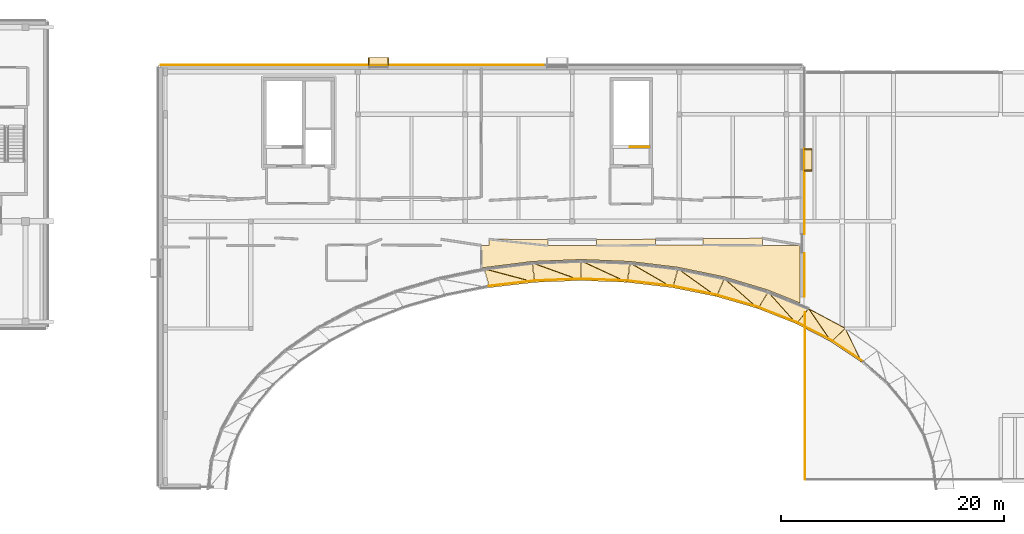
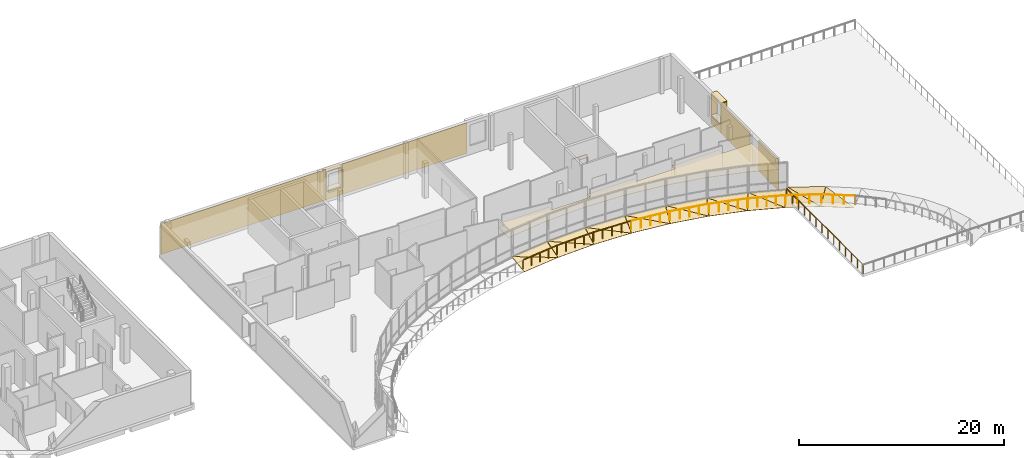
# One storey, part 17 of 18: 32 coverings, 11 railings.
"""IFC4 building model written with IfcOpenShell, lengths in metres."""

from ifc_helpers import new_model, si_unit, direction, frame, origin, origin_2d, place, context, subcontext, project, spatial, polyline, rectangle, circle, outline, extrude, material, layer, layer_set, type_object, element, save


model = new_model("IFC4")

# Units and contexts
model_context = context("Model", 3, precision=1e-05, world=origin(), true_north=direction((0.0, 1.0)))
body_context = subcontext(model_context, "Body", "Model", "MODEL_VIEW")
ifc_project = project(units=[si_unit("LENGTHUNIT", "METRE"), si_unit("AREAUNIT", "SQUARE_METRE"), si_unit("VOLUMEUNIT", "CUBIC_METRE"), si_unit("PLANEANGLEUNIT", "RADIAN"), si_unit("MASSUNIT", "GRAM", prefix="KILO")], contexts=[model_context])

# Site, building, storey
site_placement = place(None, origin())
site = spatial("IfcSite", under=ifc_project, at=site_placement, CompositionType="ELEMENT")
building_placement = place(site_placement, origin())
building = spatial("IfcBuilding", under=site, at=building_placement, Name="Mzevani Central Library", CompositionType="ELEMENT")
storey_placement = place(building_placement, frame((0.0, 0.0, 18.300048828125)))
storey = spatial("IfcBuildingStorey", under=building, at=storey_placement, Name="L04", CompositionType="ELEMENT", Elevation=18.300048828125)

# Railing
ifc_material_1 = material(Name="Brushed stainless steel rail", Category="steel")
railing_type_1 = type_object("IfcRailingType", Name="Interior Gallery and Stair Guard 1100", PredefinedType="BALUSTRADE", material=ifc_material_1)
railing_1_placement = place(storey_placement, frame((90.10009765625, 106.64990234375, 0.0)))
element("IfcRailing", 1, at=railing_1_placement, inside=storey, type_object=railing_type_1, Name="L04 ST-06 top well guard 1", PredefinedType="BALUSTRADE", context=body_context, shape_type="SweptSolid", body=[
    extrude(circle(Radius=0.02392578125, at=origin_2d()), frame((0.0, 0.0, 1.076171875), z_axis=(-1.0, 0.0, 0.0), x_axis=(0.0, -1.0, 0.0)), (0.0, 0.0, 1.0), 1.7001953125),
    extrude(circle(Radius=0.02099609375, at=origin_2d()), origin(), (0.0, 0.0, 1.0), 1.052001953125),
    extrude(circle(Radius=0.02099609375, at=origin_2d()), frame((-0.85009765625, 0.0, 0.0)), (0.0, 0.0, 1.0), 1.052001953125),
    extrude(circle(Radius=0.02099609375, at=origin_2d()), frame((-1.7001953125, 0.0, 0.0)), (0.0, 0.0, 1.0), 1.052001953125),
])

# Coverings
ifc_material_2 = material(Name="Limestone ashlar cladding", Category="masonry")
ifc_layer_1 = layer(ifc_material_2, 0.050048828125, Name="Limestone Ashlar Spandrel Cladding")
ifc_layer_set_1 = layer_set([ifc_layer_1], Name="Limestone ashlar cladding")
covering_type_1 = type_object("IfcCoveringType", Name="Limestone Ashlar Spandrel Cladding", PredefinedType="CLADDING", material=ifc_layer_set_1)
covering_1_placement = place(storey_placement, frame((109.14111328125, 87.3671875, -0.280029296875), z_axis=(-0.327729693429, -0.487988070928, 0.808987571399), x_axis=(-0.830157700772, 0.557528646662, 0.0)))
element("IfcCovering", 2, at=covering_1_placement, inside=storey, type_object=covering_type_1, Name="L04 Curved Court Spandrel Apron 6A", PredefinedType="CLADDING", context=body_context, shape_type="SweptSolid", body=[
    extrude(outline(polyline([(0.0, 0.0), (3.282920575621117, 0.0), (2.907255110845683, -2.092423603698406), (0.0, 0.0)])), origin(), (0.0, 0.0, -1.0), 0.06005859375),
])
covering_2_placement = place(storey_placement, frame((106.410888671875, 89.20556640625, -0.280029296875), z_axis=(-0.26927253569, -0.521303438296, 0.809774676527), x_axis=(-0.888472868545, 0.458929146884, 0.0)))
element("IfcCovering", 3, at=covering_2_placement, inside=storey, type_object=covering_type_1, Name="L04 Curved Court Spandrel Apron 7A", PredefinedType="CLADDING", context=body_context, shape_type="SweptSolid", body=[
    extrude(outline(polyline([(0.0, 0.0), (3.497761299919376, 0.0), (3.147397562304514, -2.096292092178748), (0.0, 0.0)])), origin(), (0.0, 0.0, -1.0), 0.06005859375),
])
covering_3_placement = place(storey_placement, frame((106.410888671875, 89.20556640625, -0.280029296875), z_axis=(-0.281018656621, -0.526304931193, 0.802515815441), x_axis=(-0.533459440059, 0.780788874267, 0.325253377589)))
element("IfcCovering", 4, at=covering_3_placement, inside=storey, type_object=covering_type_1, Name="L04 Curved Court Spandrel Apron 7B", PredefinedType="CLADDING", context=body_context, shape_type="SweptSolid", body=[
    extrude(outline(polyline([(0.0, 0.0), (3.7816070592978788, 2.220446049250313e-16), (0.6785553252923355, -2.0178354469426516), (0.0, 0.0)])), origin(), (0.0, 0.0, -1.0), 0.06005859375),
])
covering_4_placement = place(storey_placement, frame((103.296875, 90.819091796875, -0.280029296875), z_axis=(-0.179513022548, -0.456138053864, 0.87161525374), x_axis=(-0.930531980871, 0.366210639627, 0.0)))
element("IfcCovering", 5, at=covering_4_placement, inside=storey, type_object=covering_type_1, Name="L04 Curved Court Spandrel Apron 8A", PredefinedType="CLADDING", context=body_context, shape_type="SweptSolid", body=[
    extrude(outline(polyline([(0.0, 0.0), (3.693336337465024, 0.0), (3.392763559591872, -1.9583420965740634), (0.0, 0.0)])), origin(), (0.0, 0.0, -1.0), 0.06005859375),
])
covering_5_placement = place(storey_placement, frame((103.296875, 90.819091796875, -0.280029296875), z_axis=(-0.187953474318, -0.462027561681, 0.866720268448), x_axis=(-0.646344146985, 0.722626591871, 0.24505112197)))
element("IfcCovering", 6, at=covering_5_placement, inside=storey, type_object=covering_type_1, Name="L04 Curved Court Spandrel Apron 8B", PredefinedType="CLADDING", context=body_context, shape_type="SweptSolid", body=[
    extrude(outline(polyline([(0.0, 0.0), (3.9173905011510666, 5.551115123125783e-17), (0.5218532742592943, -1.915254100163302), (0.0, 0.0)])), origin(), (0.0, 0.0, -1.0), 0.06005859375),
])
covering_6_placement = place(storey_placement, frame((99.851318359375, 92.18017578125, -0.280029296875), z_axis=(-0.136030290033, -0.468363701555, 0.873001261888), x_axis=(-0.960316723088, 0.278911798526, 0.0)))
element("IfcCovering", 7, at=covering_6_placement, inside=storey, type_object=covering_type_1, Name="L04 Curved Court Spandrel Apron 9A", PredefinedType="CLADDING", context=body_context, shape_type="SweptSolid", body=[
    extrude(outline(polyline([(0.0, 0.0), (3.8602173229667835, 1.1102230246251565e-16), (3.6283673817434647, -1.9682706809499542), (0.0, 0.0)])), origin(), (0.0, 0.0, -1.0), 0.06005859375),
])
covering_7_placement = place(storey_placement, frame((99.851318359375, 92.18017578125, -0.280029296875), z_axis=(-0.142270341343, -0.473957198952, 0.868978551827), x_axis=(-0.728012768871, 0.644914390427, 0.232557170136)))
element("IfcCovering", 8, at=covering_7_placement, inside=storey, type_object=covering_type_1, Name="L04 Curved Court Spandrel Apron 9B", PredefinedType="CLADDING", context=body_context, shape_type="SweptSolid", body=[
    extrude(outline(polyline([(0.0, 0.0), (4.127849237846159, 2.220446049250313e-16), (0.5381981806398155, -1.9111740929635601), (0.0, 0.0)])), origin(), (0.0, 0.0, -1.0), 0.06005859375),
])
covering_8_placement = place(storey_placement, frame((96.1328125, 93.264892578125, -0.280029296875), z_axis=(-0.09513852831, -0.475930116818, 0.874322128473), x_axis=(-0.980599490045, 0.196022039892, 0.0)))
element("IfcCovering", 9, at=covering_8_placement, inside=storey, type_object=covering_type_1, Name="L04 Curved Court Spandrel Apron 10A", PredefinedType="CLADDING", context=body_context, shape_type="SweptSolid", body=[
    extrude(outline(polyline([(0.0, 0.0), (3.991748599059052, 1.1102230246251565e-16), (3.8437294773759314, -1.977889552503587), (0.0, 0.0)])), origin(), (0.0, 0.0, -1.0), 0.06005859375),
])
covering_9_placement = place(storey_placement, frame((96.1328125, 93.264892578125, -0.280029296875), z_axis=(-0.099321918084, -0.480602811897, 0.871295640862), x_axis=(-0.79351415551, 0.566586050397, 0.222071007791)))
element("IfcCovering", 10, at=covering_9_placement, inside=storey, type_object=covering_type_1, Name="L04 Curved Court Spandrel Apron 10B", PredefinedType="CLADDING", context=body_context, shape_type="SweptSolid", body=[
    extrude(outline(polyline([(0.0, 0.0), (4.322765709259696, 4.440892098500626e-16), (0.578078581125306, -1.9001629280772876), (0.0, 0.0)])), origin(), (0.0, 0.0, -1.0), 0.06005859375),
])
covering_10_placement = place(storey_placement, frame((92.204345703125, 94.053955078125, -0.280029296875), z_axis=(-0.056273706925, -0.480453047401, 0.8752131964), x_axis=(-0.993210487783, 0.116331109162, 0.0)))
element("IfcCovering", 11, at=covering_10_placement, inside=storey, type_object=covering_type_1, Name="L04 Curved Court Spandrel Apron 11A", PredefinedType="CLADDING", context=body_context, shape_type="SweptSolid", body=[
    extrude(outline(polyline([(0.0, 0.0), (4.0819134197842235, 5.551115123125783e-17), (4.029946047421078, -1.9844671110832768), (0.0, 0.0)])), origin(), (0.0, 0.0, -1.0), 0.06005859375),
])
covering_11_placement = place(storey_placement, frame((92.204345703125, 94.053955078125, -0.280029296875), z_axis=(-0.058573060816, -0.483608906295, 0.873322175545), x_axis=(-0.846057212835, 0.488383767877, 0.213701866825)))
element("IfcCovering", 12, at=covering_11_placement, inside=storey, type_object=covering_type_1, Name="L04 Curved Court Spandrel Apron 11B", PredefinedType="CLADDING", context=body_context, shape_type="SweptSolid", body=[
    extrude(outline(polyline([(0.0, 0.0), (4.492056862963333, -1.6653345369377348e-16), (0.6365224301893274, -1.8821314244561298), (0.0, 0.0)])), origin(), (0.0, 0.0, -1.0), 0.06005859375),
])
covering_12_placement = place(storey_placement, frame((88.133544921875, 94.53271484375, -0.280029296875), z_axis=(-0.018641909751, -0.48305991601, 0.875388826034), x_axis=(-0.999256186525, 0.038562594473, 0.0)))
element("IfcCovering", 13, at=covering_12_placement, inside=storey, type_object=covering_type_1, Name="L04 Curved Court Spandrel Apron 12A", PredefinedType="CLADDING", context=body_context, shape_type="SweptSolid", body=[
    extrude(outline(polyline([(0.0, 0.0), (4.127826192121102, 0.0), (4.179273693217419, -1.9857721036790688), (0.0, 0.0)])), origin(), (0.0, 0.0, -1.0), 0.06005859375),
])
covering_13_placement = place(storey_placement, frame((88.133544921875, 94.53271484375, -0.280029296875), z_axis=(-0.01931302805, -0.48418961565, 0.874749920288), x_axis=(-0.888066521119, 0.410238084588, 0.207467028759)))
element("IfcCovering", 14, at=covering_13_placement, inside=storey, type_object=covering_type_1, Name="L04 Curved Court Spandrel Apron 12B", PredefinedType="CLADDING", context=body_context, shape_type="SweptSolid", body=[
    extrude(outline(polyline([(0.0, 0.0), (4.627052998461241, 1.1102230246251565e-16), (0.7077099042854951, -1.856829493341297), (0.0, 0.0)])), origin(), (0.0, 0.0, -1.0), 0.06005859375),
])
covering_14_placement = place(storey_placement, frame((83.9912109375, 94.69189453125, -0.280029296875), z_axis=(0.018688126739, -0.484257517265, 0.874725906151), x_axis=(-0.999256186525, -0.038562594473, 0.0)))
element("IfcCovering", 15, at=covering_14_placement, inside=storey, type_object=covering_type_1, Name="L04 Curved Court Spandrel Apron 13A", PredefinedType="CLADDING", context=body_context, shape_type="SweptSolid", body=[
    extrude(outline(polyline([(0.0, 0.0), (4.127826192121102, 0.0), (4.285490884571889, -1.9808611563459673), (0.0, 0.0)])), origin(), (0.0, 0.0, -1.0), 0.06005859375),
])
covering_15_placement = place(storey_placement, frame((83.9912109375, 94.69189453125, -0.280029296875), z_axis=(0.019267566838, -0.48304987482, 0.875380819589), x_axis=(-0.921199810835, 0.331733287667, 0.20333207905)))
element("IfcCovering", 16, at=covering_15_placement, inside=storey, type_object=covering_type_1, Name="L04 Curved Court Spandrel Apron 13B", PredefinedType="CLADDING", context=body_context, shape_type="SweptSolid", body=[
    extrude(outline(polyline([(0.0, 0.0), (4.721148487653086, -1.6653345369377348e-16), (0.7864733229429142, -1.8241155131784228), (0.0, 0.0)])), origin(), (0.0, 0.0, -1.0), 0.06005859375),
])
covering_16_placement = place(storey_placement, frame((79.849853515625, 94.52880859375, -0.280029296875), z_axis=(0.056695302798, -0.484052544092, 0.873200307604), x_axis=(-0.993210487783, -0.116331109162, 0.0)))
element("IfcCovering", 17, at=covering_16_placement, inside=storey, type_object=covering_type_1, Name="L04 Curved Court Spandrel Apron 14A", PredefinedType="CLADDING", context=body_context, shape_type="SweptSolid", body=[
    extrude(outline(polyline([(0.0, 0.0), (4.0819134197842235, -5.551115123125783e-17), (4.342337929861353, -1.9697102775815722), (0.0, 0.0)])), origin(), (0.0, 0.0, -1.0), 0.06005859375),
])
covering_17_placement = place(storey_placement, frame((79.849853515625, 94.52880859375, -0.280029296875), z_axis=(0.05815866829, -0.480187471366, 0.875235717762), x_axis=(-0.946467596583, 0.252323089855, 0.201325971856)))
element("IfcCovering", 18, at=covering_17_placement, inside=storey, type_object=covering_type_1, Name="L04 Curved Court Spandrel Apron 14B", PredefinedType="CLADDING", context=body_context, shape_type="SweptSolid", body=[
    extrude(outline(polyline([(0.0, 0.0), (4.768192243893177, 1.1102230246251565e-16), (0.8670899486953034, -1.7857674382833597), (0.0, 0.0)])), origin(), (0.0, 0.0, -1.0), 0.06005859375),
])
for number, where, z_axis, x_axis, name in (
    (19, (65.8466796875, 114.337890625, 3.25), (0.0, 0.0, 1.0), (1.0, 0.0, 0.0), "L04 Deep Window Reveal HD (REV4-0132)"),
    (20, (65.8466796875, 114.337890625, 0.9599609375), (0.0, 0.0, 1.0), (1.0, 0.0, 0.0), "L04 Deep Window Reveal SL (REV4-0132)"),
):
    element("IfcCovering", number, at=place(storey_placement, frame(where, z_axis=z_axis, x_axis=x_axis)), inside=storey, type_object=covering_type_1, Name=name, PredefinedType="CLADDING", context=body_context, shape_type="SweptSolid", body=[
        extrude(rectangle(XDim=1.830078125, YDim=0.679931640625, at=origin_2d()), origin(), (0.0, 0.0, 1.0), 0.090087890625),
    ])
for number, where, z_axis, x_axis, name in (
    (21, (64.976806640625, 114.337890625, 1.0498046875), (0.0, 0.0, 1.0), (1.0, 0.0, 0.0), "L04 Deep Window Reveal JL (REV4-0132)"),
    (22, (66.716796875, 114.337890625, 1.0498046875), (0.0, 0.0, 1.0), (1.0, 0.0, 0.0), "L04 Deep Window Reveal JR (REV4-0132)"),
):
    element("IfcCovering", number, at=place(storey_placement, frame(where, z_axis=z_axis, x_axis=x_axis)), inside=storey, type_object=covering_type_1, Name=name, PredefinedType="CLADDING", context=body_context, shape_type="SweptSolid", body=[
        extrude(rectangle(XDim=0.090087890625, YDim=0.679931640625, at=origin_2d()), origin(), (0.0, 0.0, 1.0), 2.199951171875),
    ])
covering_18_placement = place(storey_placement, frame((55.60595703125, 114.02392578125, 0.0), z_axis=(0.0, 0.0, 1.0), x_axis=(1.0, 0.0, 0.0)))
element("IfcCovering", 23, at=covering_18_placement, inside=storey, type_object=covering_type_1, Name="L04 Warm-White Facade Pier 1 (EW4-V3-L04-0069)", PredefinedType="CLADDING", context=body_context, shape_type="SweptSolid", body=[
    extrude(rectangle(XDim=18.591796875, YDim=0.050048828125, at=origin_2d()), origin(), (0.0, 0.0, 1.0), 3.64990234375),
])
covering_19_placement = place(storey_placement, frame((65.8466796875, 114.02392578125, 0.0), z_axis=(0.0, 0.0, 1.0), x_axis=(1.0, 0.0, 0.0)))
element("IfcCovering", 24, at=covering_19_placement, inside=storey, type_object=covering_type_1, Name="L04 Warm-White Sill Cladding 2 (EW4-V3-L04-0069)", PredefinedType="CLADDING", context=body_context, shape_type="SweptSolid", body=[
    extrude(rectangle(XDim=1.85009765625, YDim=0.050048828125, at=origin_2d()), origin(), (0.0, 0.0, 1.0), 0.949951171875),
])
covering_20_placement = place(storey_placement, frame((73.8125, 114.02392578125, 0.0), z_axis=(0.0, 0.0, 1.0), x_axis=(1.0, 0.0, 0.0)))
element("IfcCovering", 25, at=covering_20_placement, inside=storey, type_object=covering_type_1, Name="L04 Warm-White Facade Pier 3 (EW4-V3-L04-0069)", PredefinedType="CLADDING", context=body_context, shape_type="SweptSolid", body=[
    extrude(rectangle(XDim=14.04150390625, YDim=0.050048828125, at=origin_2d()), origin(), (0.0, 0.0, 1.0), 3.64990234375),
])
for number, where, z_axis, x_axis, name in (
    (26, (104.337890625, 105.50537109375, 3.5498046875), (0.0, 0.0, 1.0), (0.0, -1.0, 0.0), "L04 Deep Window Reveal HD (REV4-0134)"),
    (27, (104.337890625, 105.50537109375, 0.9599609375), (0.0, 0.0, 1.0), (0.0, -1.0, 0.0), "L04 Deep Window Reveal SL (REV4-0134)"),
):
    element("IfcCovering", number, at=place(storey_placement, frame(where, z_axis=z_axis, x_axis=x_axis)), inside=storey, type_object=covering_type_1, Name=name, PredefinedType="CLADDING", context=body_context, shape_type="SweptSolid", body=[
        extrude(rectangle(XDim=1.97998046875, YDim=0.679931640625, at=origin_2d()), origin(), (0.0, 0.0, 1.0), 0.090087890625),
    ])
for number, where, z_axis, x_axis, name in (
    (28, (104.337890625, 106.450439453125, 1.050048828125), (0.0, 0.0, 1.0), (0.0, -1.0, 0.0), "L04 Deep Window Reveal JL (REV4-0134)"),
    (29, (104.337890625, 104.560302734375, 1.050048828125), (0.0, 0.0, 1.0), (0.0, -1.0, 0.0), "L04 Deep Window Reveal JR (REV4-0134)"),
):
    element("IfcCovering", number, at=place(storey_placement, frame(where, z_axis=z_axis, x_axis=x_axis)), inside=storey, type_object=covering_type_1, Name=name, PredefinedType="CLADDING", context=body_context, shape_type="SweptSolid", body=[
        extrude(rectangle(XDim=0.090087890625, YDim=0.679931640625, at=origin_2d()), origin(), (0.0, 0.0, 1.0), 2.5),
    ])
covering_21_placement = place(storey_placement, frame((104.02392578125, 105.50537109375, 0.0), z_axis=(0.0, 0.0, 1.0), x_axis=(0.0, -1.0, 0.0)))
element("IfcCovering", 30, at=covering_21_placement, inside=storey, type_object=covering_type_1, Name="L04 Warm-White Sill Cladding 2 (EW4-V3-L04-0070)", PredefinedType="CLADDING", context=body_context, shape_type="SweptSolid", body=[
    extrude(rectangle(XDim=2.0, YDim=0.050048828125, at=origin_2d()), origin(), (0.0, 0.0, 1.0), 0.949951171875),
])
covering_22_placement = place(storey_placement, frame((104.02392578125, 101.665283203125, 0.0), z_axis=(0.0, 0.0, 1.0), x_axis=(0.0, -1.0, 0.0)))
element("IfcCovering", 31, at=covering_22_placement, inside=storey, type_object=covering_type_1, Name="L04 Warm-White Facade Pier 3 (EW4-V3-L04-0070)", PredefinedType="CLADDING", context=body_context, shape_type="SweptSolid", body=[
    extrude(rectangle(XDim=5.640380859375, YDim=0.050048828125, at=origin_2d()), origin(), (0.0, 0.0, 1.0), 3.64990234375),
])
covering_23_placement = place(storey_placement, frame((104.02392578125, 95.19970703125, 0.0), z_axis=(0.0, 0.0, 1.0), x_axis=(0.0, -1.0, 0.0)))
element("IfcCovering", 32, at=covering_23_placement, inside=storey, type_object=covering_type_1, Name="L04 Warm-White Facade Pier 4 (EW4-V3-L04-0070)", PredefinedType="CLADDING", context=body_context, shape_type="SweptSolid", body=[
    extrude(rectangle(XDim=3.910888671875, YDim=0.050048828125, at=origin_2d()), origin(), (0.0, 0.0, 1.0), 3.64990234375),
])
ifc_material_3 = material(Name="Mineral wool acoustic ceiling")
ifc_layer_2 = layer(ifc_material_3, 0.0400390625, Name="Perforated Timber Acoustic Ceiling")
ifc_layer_set_2 = layer_set([ifc_layer_2], Name="Mineral wool acoustic ceiling")
covering_type_2 = type_object("IfcCoveringType", Name="Perforated Timber Acoustic Ceiling", PredefinedType="CEILING", material=ifc_layer_set_2)
covering_24_placement = place(storey_placement, frame((0.0, 0.0, 2.949951171875)))
element("IfcCovering", 33, at=covering_24_placement, inside=storey, type_object=covering_type_2, Name="L04 Roof Garden Reading Conservatory Acoustic Ceiling", PredefinedType="CEILING", context=body_context, shape_type="SweptSolid", body=[
    extrude(outline(polyline([(84.01513671875, 96.58203125), (79.652099609375, 96.4091796875), (75.04833984375, 95.827880859375), (75.0400390625, 97.85107421875), (75.739990234375, 97.860107421875), (75.75, 98.4013671875), (81.02587890625, 98.392578125), (81.034912109375, 97.8349609375), (85.364990234375, 97.8349609375), (85.375, 98.38525390625), (90.676025390625, 98.402099609375), (90.68505859375, 97.885009765625), (94.9150390625, 97.885009765625), (94.923828125, 98.44580078125), (100.251953125, 98.500244140625), (100.260009765625, 97.860107421875), (103.62890625, 97.854736328125), (103.6298828125, 92.68408203125), (100.7060546875, 93.85888671875), (96.779541015625, 95.0361328125), (92.668212890625, 95.8857421875), (88.347900390625, 96.4091796875), (84.01513671875, 96.58203125)])), origin(), (0.0, 0.0, 1.0), 0.0400390625),
])

# Railings
ifc_material_4 = material(Name="Anodized architectural bronze")
railing_type_2 = type_object("IfcRailingType", Name="Terrace and Court Balustrade 1100", PredefinedType="BALUSTRADE", material=ifc_material_4)
railing_2_placement = place(storey_placement, frame((109.283203125, 87.440673828125, 0.0)))
element("IfcRailing", 34, at=railing_2_placement, inside=storey, type_object=railing_type_2, Name="L04 Elliptical Court Terrace Guard 6", PredefinedType="BALUSTRADE", context=body_context, shape_type="SweptSolid", body=[
    extrude(circle(Radius=0.02392578125, at=origin_2d()), frame((0.0, 0.0, 1.076171875), z_axis=(-0.830157700772, 0.557528646662, 0.0), x_axis=(-0.557528646662, -0.830157700772, 0.0)), (0.0, 0.0, 1.0), 3.282958984375),
    extrude(circle(Radius=0.02099609375, at=origin_2d()), origin(), (0.0, 0.0, 1.0), 1.052001953125),
    extrude(circle(Radius=0.02099609375, at=origin_2d()), frame((-0.908447265625, 0.610107421875, 0.0)), (0.0, 0.0, 1.0), 1.052001953125),
    extrude(circle(Radius=0.02099609375, at=origin_2d()), frame((-1.81689453125, 1.22021484375, 0.0)), (0.0, 0.0, 1.0), 1.052001953125),
    extrude(circle(Radius=0.02099609375, at=origin_2d()), frame((-2.725341796875, 1.830322265625, 0.0)), (0.0, 0.0, 1.0), 1.052001953125),
])
railing_3_placement = place(storey_placement, frame((106.543701171875, 89.294677734375, 0.0)))
element("IfcRailing", 35, at=railing_3_placement, inside=storey, type_object=railing_type_2, Name="L04 Elliptical Court Terrace Guard 7", PredefinedType="BALUSTRADE", context=body_context, shape_type="SweptSolid", body=[
    extrude(circle(Radius=0.02392578125, at=origin_2d()), frame((0.0, 0.0, 1.076171875), z_axis=(-0.888472868545, 0.458929146884, 0.0), x_axis=(-0.458929146884, -0.888472868545, 0.0)), (0.0, 0.0, 1.0), 3.497802734375),
    extrude(circle(Radius=0.02099609375, at=origin_2d()), origin(), (0.0, 0.0, 1.0), 1.052001953125),
    extrude(circle(Radius=0.02099609375, at=origin_2d()), frame((-1.035888671875, 0.53515625, 0.0)), (0.0, 0.0, 1.0), 1.052001953125),
    extrude(circle(Radius=0.02099609375, at=origin_2d()), frame((-2.07177734375, 1.070068359375, 0.0)), (0.0, 0.0, 1.0), 1.052001953125),
    extrude(circle(Radius=0.02099609375, at=origin_2d()), frame((-3.107666015625, 1.605224609375, 0.0)), (0.0, 0.0, 1.0), 1.052001953125),
])
railing_4_placement = place(storey_placement, frame((103.4169921875, 90.9248046875, 0.0)))
element("IfcRailing", 36, at=railing_4_placement, inside=storey, type_object=railing_type_2, Name="L04 Elliptical Court Terrace Guard 8", PredefinedType="BALUSTRADE", context=body_context, shape_type="SweptSolid", body=[
    extrude(circle(Radius=0.02392578125, at=origin_2d()), frame((0.0, 0.0, 1.076171875), z_axis=(-0.930540845143, 0.366188114937, 0.0), x_axis=(-0.366188114937, -0.930540845143, 0.0)), (0.0, 0.0, 1.0), 3.693603515625),
    extrude(circle(Radius=0.02099609375, at=origin_2d()), origin(), (0.0, 0.0, 1.0), 1.052001953125),
    extrude(circle(Radius=0.02099609375, at=origin_2d()), frame((-0.859375, 0.338134765625, 0.0)), (0.0, 0.0, 1.0), 1.052001953125),
    extrude(circle(Radius=0.02099609375, at=origin_2d()), frame((-1.718505859375, 0.67626953125, 0.0)), (0.0, 0.0, 1.0), 1.052001953125),
    extrude(circle(Radius=0.02099609375, at=origin_2d()), frame((-2.57763671875, 1.014404296875, 0.0)), (0.0, 0.0, 1.0), 1.052001953125),
    extrude(circle(Radius=0.02099609375, at=origin_2d()), frame((-3.43701171875, 1.3525390625, 0.0)), (0.0, 0.0, 1.0), 1.052001953125),
])
railing_5_placement = place(storey_placement, frame((99.9541015625, 92.302734375, 0.0)))
element("IfcRailing", 37, at=railing_5_placement, inside=storey, type_object=railing_type_2, Name="L04 Elliptical Court Terrace Guard 9", PredefinedType="BALUSTRADE", context=body_context, shape_type="SweptSolid", body=[
    extrude(circle(Radius=0.02392578125, at=origin_2d()), frame((0.0, 0.0, 1.076171875), z_axis=(-0.960321642606, 0.278894859657, 0.0), x_axis=(-0.278894859657, -0.960321642606, 0.0)), (0.0, 0.0, 1.0), 3.8603515625),
    extrude(circle(Radius=0.02099609375, at=origin_2d()), origin(), (0.0, 0.0, 1.0), 1.052001953125),
    extrude(circle(Radius=0.02099609375, at=origin_2d()), frame((-0.9267578125, 0.26904296875, 0.0)), (0.0, 0.0, 1.0), 1.052001953125),
    extrude(circle(Radius=0.02099609375, at=origin_2d()), frame((-1.853515625, 0.538330078125, 0.0)), (0.0, 0.0, 1.0), 1.052001953125),
    extrude(circle(Radius=0.02099609375, at=origin_2d()), frame((-2.780517578125, 0.8076171875, 0.0)), (0.0, 0.0, 1.0), 1.052001953125),
    extrude(circle(Radius=0.02099609375, at=origin_2d()), frame((-3.707275390625, 1.07666015625, 0.0)), (0.0, 0.0, 1.0), 1.052001953125),
])
railing_6_placement = place(storey_placement, frame((96.212646484375, 93.403564453125, 0.0)))
element("IfcRailing", 38, at=railing_6_placement, inside=storey, type_object=railing_type_2, Name="L04 Elliptical Court Terrace Guard 10", PredefinedType="BALUSTRADE", context=body_context, shape_type="SweptSolid", body=[
    extrude(circle(Radius=0.02392578125, at=origin_2d()), frame((0.0, 0.0, 1.076171875), z_axis=(-0.980597139732, 0.196033796959, 0.0), x_axis=(-0.196033796959, -0.980597139732, 0.0)), (0.0, 0.0, 1.0), 3.991455078125),
    extrude(circle(Radius=0.02099609375, at=origin_2d()), origin(), (0.0, 0.0, 1.0), 1.052001953125),
    extrude(circle(Radius=0.02099609375, at=origin_2d()), frame((-0.978515625, 0.195556640625, 0.0)), (0.0, 0.0, 1.0), 1.052001953125),
    extrude(circle(Radius=0.02099609375, at=origin_2d()), frame((-1.95703125, 0.39111328125, 0.0)), (0.0, 0.0, 1.0), 1.052001953125),
    extrude(circle(Radius=0.02099609375, at=origin_2d()), frame((-2.935546875, 0.5869140625, 0.0)), (0.0, 0.0, 1.0), 1.052001953125),
    extrude(circle(Radius=0.02099609375, at=origin_2d()), frame((-3.9140625, 0.782470703125, 0.0)), (0.0, 0.0, 1.0), 1.052001953125),
])
railing_7_placement = place(storey_placement, frame((92.255615234375, 94.20556640625, 0.0)))
element("IfcRailing", 39, at=railing_7_placement, inside=storey, type_object=railing_type_2, Name="L04 Elliptical Court Terrace Guard 11", PredefinedType="BALUSTRADE", context=body_context, shape_type="SweptSolid", body=[
    extrude(circle(Radius=0.02392578125, at=origin_2d()), frame((0.0, 0.0, 1.076171875), z_axis=(-0.993210487783, 0.116331109162, 0.0), x_axis=(-0.116331109162, -0.993210487783, 0.0)), (0.0, 0.0, 1.0), 4.08203125),
    extrude(circle(Radius=0.02099609375, at=origin_2d()), origin(), (0.0, 0.0, 1.0), 1.052001953125),
    extrude(circle(Radius=0.02099609375, at=origin_2d()), frame((-1.013671875, 0.11865234375, 0.0)), (0.0, 0.0, 1.0), 1.052001953125),
    extrude(circle(Radius=0.02099609375, at=origin_2d()), frame((-2.027099609375, 0.2373046875, 0.0)), (0.0, 0.0, 1.0), 1.052001953125),
    extrude(circle(Radius=0.02099609375, at=origin_2d()), frame((-3.04052734375, 0.356201171875, 0.0)), (0.0, 0.0, 1.0), 1.052001953125),
    extrude(circle(Radius=0.02099609375, at=origin_2d()), frame((-4.05419921875, 0.474853515625, 0.0)), (0.0, 0.0, 1.0), 1.052001953125),
])
railing_8_placement = place(storey_placement, frame((88.151123046875, 94.691650390625, 0.0)))
element("IfcRailing", 40, at=railing_8_placement, inside=storey, type_object=railing_type_2, Name="L04 Elliptical Court Terrace Guard 12", PredefinedType="BALUSTRADE", context=body_context, shape_type="SweptSolid", body=[
    extrude(circle(Radius=0.02392578125, at=origin_2d()), frame((0.0, 0.0, 1.076171875), z_axis=(-0.999256098564, 0.038564873699, 0.0), x_axis=(-0.038564873699, -0.999256098564, 0.0)), (0.0, 0.0, 1.0), 4.127685546875),
    extrude(circle(Radius=0.02099609375, at=origin_2d()), origin(), (0.0, 0.0, 1.0), 1.052001953125),
    extrude(circle(Radius=0.02099609375, at=origin_2d()), frame((-1.03125, 0.039794921875, 0.0)), (0.0, 0.0, 1.0), 1.052001953125),
    extrude(circle(Radius=0.02099609375, at=origin_2d()), frame((-2.062255859375, 0.07958984375, 0.0)), (0.0, 0.0, 1.0), 1.052001953125),
    extrude(circle(Radius=0.02099609375, at=origin_2d()), frame((-3.09326171875, 0.119384765625, 0.0)), (0.0, 0.0, 1.0), 1.052001953125),
    extrude(circle(Radius=0.02099609375, at=origin_2d()), frame((-4.12451171875, 0.1591796875, 0.0)), (0.0, 0.0, 1.0), 1.052001953125),
])
railing_9_placement = place(storey_placement, frame((83.973388671875, 94.850830078125, 0.0)))
element("IfcRailing", 41, at=railing_9_placement, inside=storey, type_object=railing_type_2, Name="L04 Elliptical Court Terrace Guard 13", PredefinedType="BALUSTRADE", context=body_context, shape_type="SweptSolid", body=[
    extrude(circle(Radius=0.02392578125, at=origin_2d()), frame((0.0, 0.0, 1.076171875), z_axis=(-0.999256098564, -0.038564873699, 0.0), x_axis=(0.038564873699, -0.999256098564, 0.0)), (0.0, 0.0, 1.0), 4.127685546875),
    extrude(circle(Radius=0.02099609375, at=origin_2d()), origin(), (0.0, 0.0, 1.0), 1.052001953125),
    extrude(circle(Radius=0.02099609375, at=origin_2d()), frame((-1.03125, -0.039794921875, 0.0)), (0.0, 0.0, 1.0), 1.052001953125),
    extrude(circle(Radius=0.02099609375, at=origin_2d()), frame((-2.062255859375, -0.07958984375, 0.0)), (0.0, 0.0, 1.0), 1.052001953125),
    extrude(circle(Radius=0.02099609375, at=origin_2d()), frame((-3.09326171875, -0.119384765625, 0.0)), (0.0, 0.0, 1.0), 1.052001953125),
    extrude(circle(Radius=0.02099609375, at=origin_2d()), frame((-4.12451171875, -0.1591796875, 0.0)), (0.0, 0.0, 1.0), 1.052001953125),
])
railing_10_placement = place(storey_placement, frame((79.798583984375, 94.680419921875, 0.0)))
element("IfcRailing", 42, at=railing_10_placement, inside=storey, type_object=railing_type_2, Name="L04 Elliptical Court Terrace Guard 14", PredefinedType="BALUSTRADE", context=body_context, shape_type="SweptSolid", body=[
    extrude(circle(Radius=0.02392578125, at=origin_2d()), frame((0.0, 0.0, 1.076171875), z_axis=(-0.993210487783, -0.116331109162, 0.0), x_axis=(0.116331109162, -0.993210487783, 0.0)), (0.0, 0.0, 1.0), 4.08203125),
    extrude(circle(Radius=0.02099609375, at=origin_2d()), origin(), (0.0, 0.0, 1.0), 1.052001953125),
    extrude(circle(Radius=0.02099609375, at=origin_2d()), frame((-1.013671875, -0.11865234375, 0.0)), (0.0, 0.0, 1.0), 1.052001953125),
    extrude(circle(Radius=0.02099609375, at=origin_2d()), frame((-2.027099609375, -0.2373046875, 0.0)), (0.0, 0.0, 1.0), 1.052001953125),
    extrude(circle(Radius=0.02099609375, at=origin_2d()), frame((-3.04052734375, -0.356201171875, 0.0)), (0.0, 0.0, 1.0), 1.052001953125),
    extrude(circle(Radius=0.02099609375, at=origin_2d()), frame((-4.05419921875, -0.474853515625, 0.0)), (0.0, 0.0, 1.0), 1.052001953125),
])
railing_11_placement = place(storey_placement, frame((104.080078125, 76.8798828125, 0.0)))
element("IfcRailing", 43, at=railing_11_placement, inside=storey, type_object=railing_type_2, Name="L04 Atrium Terrace Planted Roof Garden Perimeter Balustrade 1", PredefinedType="BALUSTRADE", context=body_context, shape_type="SweptSolid", body=[
    extrude(circle(Radius=0.02392578125, at=origin_2d()), frame((0.0, 0.0, 1.076171875), z_axis=(0.0, 1.0, 0.0), x_axis=(-1.0, 0.0, 0.0)), (0.0, 0.0, 1.0), 14.95263671875),
    extrude(circle(Radius=0.02099609375, at=origin_2d()), origin(), (0.0, 0.0, 1.0), 1.052001953125),
    extrude(circle(Radius=0.02099609375, at=origin_2d()), frame((0.0, 1.150146484375, 0.0)), (0.0, 0.0, 1.0), 1.052001953125),
    extrude(circle(Radius=0.02099609375, at=origin_2d()), frame((0.0, 2.30029296875, 0.0)), (0.0, 0.0, 1.0), 1.052001953125),
    extrude(circle(Radius=0.02099609375, at=origin_2d()), frame((0.0, 3.45068359375, 0.0)), (0.0, 0.0, 1.0), 1.052001953125),
    extrude(circle(Radius=0.02099609375, at=origin_2d()), frame((0.0, 4.600830078125, 0.0)), (0.0, 0.0, 1.0), 1.052001953125),
    extrude(circle(Radius=0.02099609375, at=origin_2d()), frame((0.0, 5.7509765625, 0.0)), (0.0, 0.0, 1.0), 1.052001953125),
    extrude(circle(Radius=0.02099609375, at=origin_2d()), frame((0.0, 6.901123046875, 0.0)), (0.0, 0.0, 1.0), 1.052001953125),
    extrude(circle(Radius=0.02099609375, at=origin_2d()), frame((0.0, 8.051513671875, 0.0)), (0.0, 0.0, 1.0), 1.052001953125),
    extrude(circle(Radius=0.02099609375, at=origin_2d()), frame((0.0, 9.20166015625, 0.0)), (0.0, 0.0, 1.0), 1.052001953125),
    extrude(circle(Radius=0.02099609375, at=origin_2d()), frame((0.0, 10.351806640625, 0.0)), (0.0, 0.0, 1.0), 1.052001953125),
    extrude(circle(Radius=0.02099609375, at=origin_2d()), frame((0.0, 11.501953125, 0.0)), (0.0, 0.0, 1.0), 1.052001953125),
    extrude(circle(Radius=0.02099609375, at=origin_2d()), frame((0.0, 12.65234375, 0.0)), (0.0, 0.0, 1.0), 1.052001953125),
    extrude(circle(Radius=0.02099609375, at=origin_2d()), frame((0.0, 13.802490234375, 0.0)), (0.0, 0.0, 1.0), 1.052001953125),
    extrude(circle(Radius=0.02099609375, at=origin_2d()), frame((0.0, 14.95263671875, 0.0)), (0.0, 0.0, 1.0), 1.052001953125),
])

save(model, "model.ifc")
